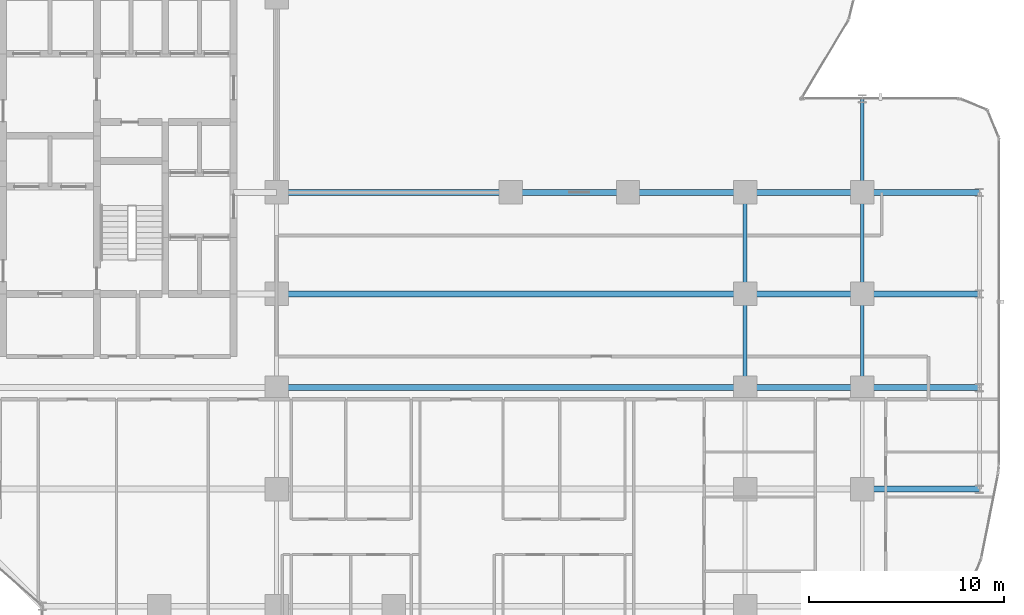
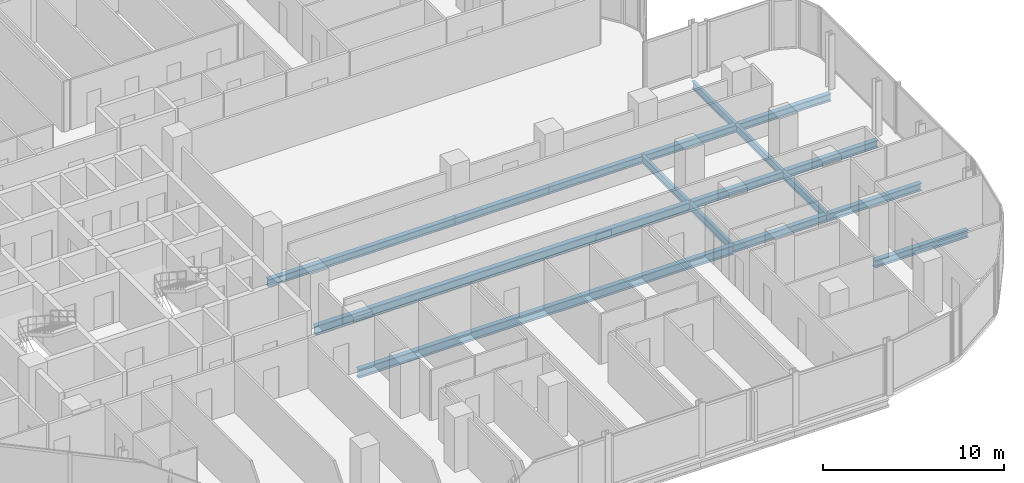
# One storey, part 11 of 34: 17 beams.
"""IFC4 building model written with IfcOpenShell, lengths in metres."""

from ifc_helpers import new_model, si_unit, direction, frame, origin, origin_2d, place, context, subcontext, project, spatial, i_section, extrude, material, material_profile, profile_set, type_object, element, save


model = new_model("IFC4")

# Units and contexts
model_context = context("Model", 3, precision=1e-05, world=origin(), true_north=direction((0.0, 1.0)))
body_context = subcontext(model_context, "Body", "Model", "MODEL_VIEW")
ifc_project = project(units=[si_unit("LENGTHUNIT", "METRE"), si_unit("AREAUNIT", "SQUARE_METRE"), si_unit("VOLUMEUNIT", "CUBIC_METRE"), si_unit("PLANEANGLEUNIT", "RADIAN"), si_unit("MASSUNIT", "GRAM", prefix="KILO")], contexts=[model_context])

# Site, building, storey
site_placement = place(None, origin())
site = spatial("IfcSite", under=ifc_project, at=site_placement, CompositionType="ELEMENT")
building_placement = place(site_placement, origin())
building = spatial("IfcBuilding", under=site, at=building_placement, Name="Keshet Zoharim Tower", CompositionType="ELEMENT")
storey_placement = place(building_placement, frame((0.0, 0.0, 70.10009765625)))
storey = spatial("IfcBuildingStorey", under=building, at=storey_placement, Name="L16", CompositionType="ELEMENT", Elevation=70.10009765625)

# Beams
ifc_material = material(Name="Steel S355", Category="steel")
ifc_material_profile_1 = material_profile(ifc_material, i_section(OverallWidth=0.300048828125, OverallDepth=0.60009765625, WebThickness=0.015380859375, FlangeThickness=0.030029296875, FilletRadius=0.027099609375, at=origin_2d()), Name="HEB600")
ifc_profile_set_1 = profile_set([ifc_material_profile_1], Name="Steel S355")
beam_type_1 = type_object("IfcBeamType", Name="BM-LNG-HB600", PredefinedType="BEAM", material=ifc_profile_set_1)
for number, where, z_axis, x_axis, name in (
    (1, (33.0, 17.89990234375, -0.614990234375), (1.0, 0.0, 0.0), (0.0, 1.0, 0.0), "L16 Primary Girder X-017"),
    (2, (33.0, 22.699951171875, -0.614990234375), (1.0, 0.0, 0.0), (0.0, 1.0, 0.0), "L16 Primary Girder X-020"),
):
    element("IfcBeam", number, at=place(storey_placement, frame(where, z_axis=z_axis, x_axis=x_axis)), inside=storey, type_object=beam_type_1, Name=name, PredefinedType="BEAM", context=body_context, shape_type="SweptSolid", body=[
        extrude(i_section(OverallWidth=0.300048828125, OverallDepth=0.60009765625, WebThickness=0.015380859375, FlangeThickness=0.030029296875, FilletRadius=0.027099609375, at=origin_2d()), origin(), (0.0, 0.0, 1.0), 24.0),
    ])
ifc_material_profile_2 = material_profile(ifc_material, i_section(OverallWidth=0.300048828125, OverallDepth=0.5, WebThickness=0.014404296875, FlangeThickness=0.028076171875, FilletRadius=0.027099609375, at=origin_2d()), Name="HEB500")
ifc_profile_set_2 = profile_set([ifc_material_profile_2], Name="Steel S355")
beam_type_2 = type_object("IfcBeamType", Name="BM-MED-HB500", PredefinedType="BEAM", material=ifc_profile_set_2)
beam_1_placement = place(storey_placement, frame((33.0, 27.89990234375, -0.565185546875), z_axis=(1.0, 0.0, 0.0), x_axis=(0.0, 1.0, 0.0)))
element("IfcBeam", 3, at=beam_1_placement, inside=storey, type_object=beam_type_2, Name="L16 Primary Girder X-023", PredefinedType="BEAM", context=body_context, shape_type="SweptSolid", body=[
    extrude(i_section(OverallWidth=0.300048828125, OverallDepth=0.5, WebThickness=0.014404296875, FlangeThickness=0.028076171875, FilletRadius=0.027099609375, at=origin_2d()), origin(), (0.0, 0.0, 1.0), 12.0),
])
ifc_material_profile_3 = material_profile(ifc_material, i_section(OverallWidth=0.199951171875, OverallDepth=0.5, WebThickness=0.01025390625, FlangeThickness=0.01611328125, FilletRadius=0.02099609375, at=origin_2d()), Name="IPE500")
ifc_profile_set_3 = profile_set([ifc_material_profile_3], Name="Steel S355")
beam_type_3 = type_object("IfcBeamType", Name="BM-PRI-IP500", PredefinedType="BEAM", material=ifc_profile_set_3)
beam_2_placement = place(storey_placement, frame((57.0, 17.89990234375, -0.565185546875), z_axis=(0.0, 1.0, 0.0), x_axis=(-1.0, 0.0, 0.0)))
element("IfcBeam", 4, at=beam_2_placement, inside=storey, type_object=beam_type_3, Name="L16 Primary Girder Y-016", PredefinedType="BEAM", context=body_context, shape_type="SweptSolid", body=[
    extrude(i_section(OverallWidth=0.199951171875, OverallDepth=0.5, WebThickness=0.01025390625, FlangeThickness=0.01611328125, FilletRadius=0.02099609375, at=origin_2d()), origin(), (0.0, 0.0, 1.0), 4.800048828125),
])
beam_3_placement = place(storey_placement, frame((57.0, 22.699951171875, -0.565185546875), z_axis=(0.0, 1.0, 0.0), x_axis=(-1.0, 0.0, 0.0)))
element("IfcBeam", 5, at=beam_3_placement, inside=storey, type_object=beam_type_3, Name="L16 Primary Girder Y-017", PredefinedType="BEAM", context=body_context, shape_type="SweptSolid", body=[
    extrude(i_section(OverallWidth=0.199951171875, OverallDepth=0.5, WebThickness=0.01025390625, FlangeThickness=0.01611328125, FilletRadius=0.02099609375, at=origin_2d()), origin(), (0.0, 0.0, 1.0), 5.199951171875),
])
beam_4_placement = place(storey_placement, frame((63.0, 17.89990234375, -0.565185546875), z_axis=(0.0, 1.0, 0.0), x_axis=(-1.0, 0.0, 0.0)))
element("IfcBeam", 6, at=beam_4_placement, inside=storey, type_object=beam_type_3, Name="L16 Primary Girder Y-020", PredefinedType="BEAM", context=body_context, shape_type="SweptSolid", body=[
    extrude(i_section(OverallWidth=0.199951171875, OverallDepth=0.5, WebThickness=0.01025390625, FlangeThickness=0.01611328125, FilletRadius=0.02099609375, at=origin_2d()), origin(), (0.0, 0.0, 1.0), 4.800048828125),
])
beam_5_placement = place(storey_placement, frame((63.0, 22.699951171875, -0.565185546875), z_axis=(0.0, 1.0, 0.0), x_axis=(-1.0, 0.0, 0.0)))
element("IfcBeam", 7, at=beam_5_placement, inside=storey, type_object=beam_type_3, Name="L16 Primary Girder Y-021", PredefinedType="BEAM", context=body_context, shape_type="SweptSolid", body=[
    extrude(i_section(OverallWidth=0.199951171875, OverallDepth=0.5, WebThickness=0.01025390625, FlangeThickness=0.01611328125, FilletRadius=0.02099609375, at=origin_2d()), origin(), (0.0, 0.0, 1.0), 5.199951171875),
])
beam_6_placement = place(storey_placement, frame((63.0, 27.89990234375, -0.565185546875), z_axis=(0.0, 1.0, 0.0), x_axis=(-1.0, 0.0, 0.0)))
element("IfcBeam", 8, at=beam_6_placement, inside=storey, type_object=beam_type_3, Name="L16 Primary Girder Y-022", PredefinedType="BEAM", context=body_context, shape_type="SweptSolid", body=[
    extrude(i_section(OverallWidth=0.199951171875, OverallDepth=0.5, WebThickness=0.01025390625, FlangeThickness=0.01611328125, FilletRadius=0.02099609375, at=origin_2d()), origin(), (0.0, 0.0, 1.0), 4.800048828125),
])
ifc_material_profile_4 = material_profile(ifc_material, i_section(OverallWidth=0.300048828125, OverallDepth=0.5, WebThickness=0.014404296875, FlangeThickness=0.028076171875, FilletRadius=0.027099609375, at=origin_2d()), Name="HEB500")
ifc_profile_set_4 = profile_set([ifc_material_profile_4], Name="Steel S355")
beam_type_4 = type_object("IfcBeamType", Name="BM-WEB-HB500", PredefinedType="BEAM", material=ifc_profile_set_4)
for number, where, z_axis, x_axis, name in (
    (9, (63.0, 12.699951171875, -0.565185546875), (1.0, 0.0, 0.0), (0.0, 1.0, 0.0), "L16 Primary Girder X-014"),
    (10, (57.0, 17.89990234375, -0.565185546875), (1.0, 0.0, 0.0), (0.0, 1.0, 0.0), "L16 Primary Girder X-018"),
    (11, (63.0, 17.89990234375, -0.565185546875), (1.0, 0.0, 0.0), (0.0, 1.0, 0.0), "L16 Primary Girder X-019"),
    (12, (57.0, 22.699951171875, -0.565185546875), (1.0, 0.0, 0.0), (0.0, 1.0, 0.0), "L16 Primary Girder X-021"),
    (13, (63.0, 22.699951171875, -0.565185546875), (1.0, 0.0, 0.0), (0.0, 1.0, 0.0), "L16 Primary Girder X-022"),
    (14, (45.0, 27.89990234375, -0.565185546875), (1.0, 0.0, 0.0), (0.0, 1.0, 0.0), "L16 Primary Girder X-024"),
    (15, (51.0, 27.89990234375, -0.565185546875), (1.0, 0.0, 0.0), (0.0, 1.0, 0.0), "L16 Primary Girder X-025"),
    (16, (57.0, 27.89990234375, -0.565185546875), (1.0, 0.0, 0.0), (0.0, 1.0, 0.0), "L16 Primary Girder X-026"),
    (17, (63.0, 27.89990234375, -0.565185546875), (1.0, 0.0, 0.0), (0.0, 1.0, 0.0), "L16 Primary Girder X-027"),
):
    element("IfcBeam", number, at=place(storey_placement, frame(where, z_axis=z_axis, x_axis=x_axis)), inside=storey, type_object=beam_type_4, Name=name, PredefinedType="BEAM", context=body_context, shape_type="SweptSolid", body=[
        extrude(i_section(OverallWidth=0.300048828125, OverallDepth=0.5, WebThickness=0.014404296875, FlangeThickness=0.028076171875, FilletRadius=0.027099609375, at=origin_2d()), origin(), (0.0, 0.0, 1.0), 6.0),
    ])

save(model, "model.ifc")
